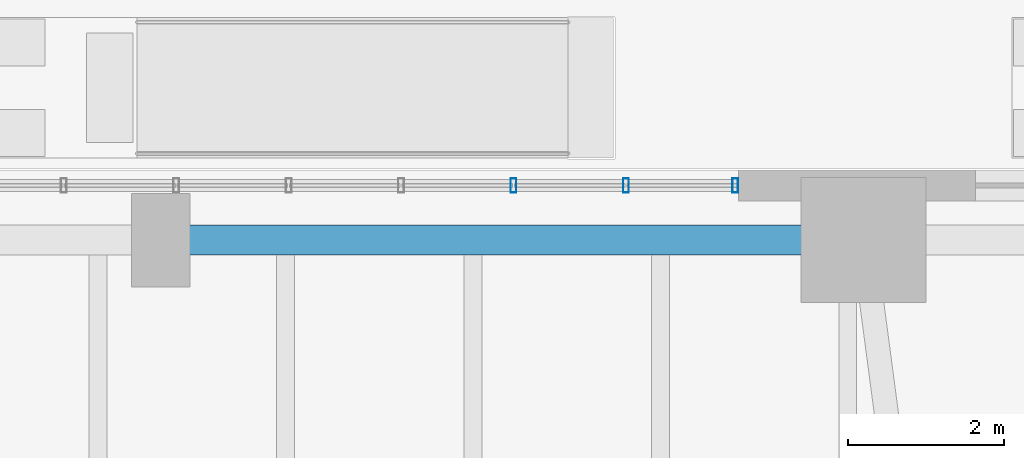
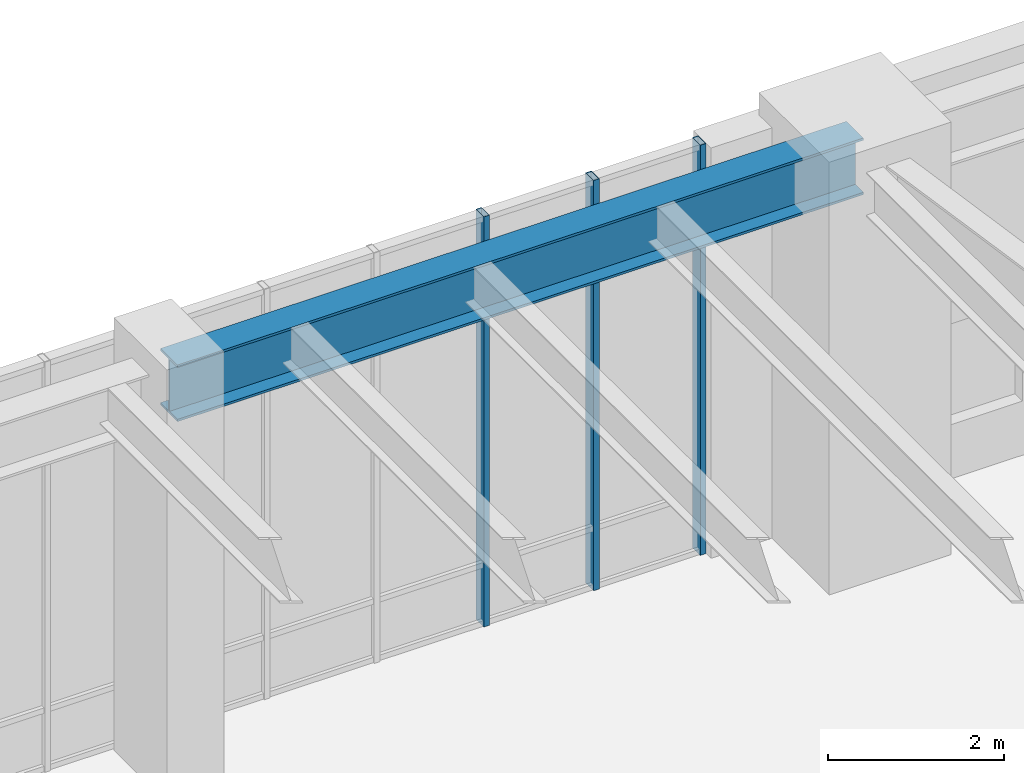
# One storey, part 15 of 28: 3 members, 1 beam, 1 element without a shape of its own.
"""IFC4 building model written with IfcOpenShell, lengths in metres."""

from ifc_helpers import new_model, si_unit, direction, frame, origin, origin_2d, place, context, subcontext, project, spatial, hollow_rectangle, i_section, extrude, material, layer, layer_set, material_profile, profile_set, type_object, element, aggregate, save


model = new_model("IFC4")

# Units and contexts
model_context = context("Model", 3, precision=1e-05, world=origin(), true_north=direction((0.0, 1.0)))
body_context = subcontext(model_context, "Body", "Model", "MODEL_VIEW")
ifc_project = project(units=[si_unit("LENGTHUNIT", "METRE"), si_unit("AREAUNIT", "SQUARE_METRE"), si_unit("VOLUMEUNIT", "CUBIC_METRE"), si_unit("PLANEANGLEUNIT", "RADIAN"), si_unit("MASSUNIT", "GRAM", prefix="KILO"), si_unit("THERMODYNAMICTEMPERATUREUNIT", "KELVIN"), si_unit("POWERUNIT", "WATT")], contexts=[model_context])

# Site, building, storey
site_placement = place(None, origin())
site = spatial("IfcSite", under=ifc_project, at=site_placement, CompositionType="ELEMENT")
building_placement = place(site_placement, origin())
building = spatial("IfcBuilding", under=site, at=building_placement, Name="Skarre Station Tower", CompositionType="ELEMENT")
storey_placement = place(building_placement, origin())
storey = spatial("IfcBuildingStorey", under=building, at=storey_placement, Name="L01", CompositionType="ELEMENT", Elevation=0.0)

# Curtain wall, members
ifc_material_1 = material(Name="Thermally Broken Bronze-Anodized Aluminium & Triple Low-E Glass", Category="aluminium")
ifc_layer = layer(ifc_material_1, 0.239990234375, Name="Thermally Broken Bronze-Anodized Aluminium & Triple Low-E Glass")
ifc_layer_set = layer_set([ifc_layer], Name="Thermally Broken Bronze-Anodized Aluminium & Triple Low-E Glass")
curtain_wall_type = type_object("IfcCurtainWallType", Name="Station Concourse Monumental Unitised Curtain Wall", PredefinedType="NOTDEFINED", material=ifc_layer_set)
curtain_wall_placement = place(storey_placement, origin())
curtain_wall = element("IfcCurtainWall", 1, at=curtain_wall_placement, inside=storey, type_object=curtain_wall_type, Name="L01 North Drop-Off Portal Curtain Wall", PredefinedType="NOTDEFINED")
ifc_material_2 = material(Name="Anodized Aluminium 6063-T6", Category="aluminium")
ifc_material_profile_1 = material_profile(ifc_material_2, hollow_rectangle(XDim=0.074951171875, YDim=0.179931640625, WallThickness=0.00390625, at=origin_2d()), Name="Anodized Aluminium 6063-T6")
ifc_profile_set_1 = profile_set([ifc_material_profile_1], Name="Anodized Aluminium 6063-T6")
member_type = type_object("IfcMemberType", Name="Curtain-Wall Heavy Concourse Mullion 180x75", PredefinedType="MULLION", material=ifc_profile_set_1)
member_1_placement = place(storey_placement, frame((49.52001953125, 47.800048828125, 0.0), z_axis=(0.0, 0.0, 1.0), x_axis=(1.0, 0.0, 0.0)))
member_1 = element("IfcMember", 2, at=member_1_placement, type_object=member_type, Name="L01 North Drop-Off Portal Curtain Wall Mullion 9", PredefinedType="MULLION", context=body_context, shape_type="SweptSolid", body=[
    extrude(hollow_rectangle(XDim=0.074951171875, YDim=0.179931640625, WallThickness=0.00390625, at=origin_2d()), origin(), (0.0, 0.0, 1.0), 5.68994140625),
])
member_2_placement = place(storey_placement, frame((50.9599609375, 47.800048828125, 0.0), z_axis=(0.0, 0.0, 1.0), x_axis=(1.0, 0.0, 0.0)))
member_2 = element("IfcMember", 3, at=member_2_placement, type_object=member_type, Name="L01 North Drop-Off Portal Curtain Wall Mullion 10", PredefinedType="MULLION", context=body_context, shape_type="SweptSolid", body=[
    extrude(hollow_rectangle(XDim=0.074951171875, YDim=0.179931640625, WallThickness=0.00390625, at=origin_2d()), origin(), (0.0, 0.0, 1.0), 5.68994140625),
])
member_3_placement = place(storey_placement, frame((52.360107421875, 47.800048828125, 0.0), z_axis=(0.0, 0.0, 1.0), x_axis=(1.0, 0.0, 0.0)))
member_3 = element("IfcMember", 4, at=member_3_placement, type_object=member_type, Name="L01 North Drop-Off Portal Curtain Wall Mullion 11", PredefinedType="MULLION", context=body_context, shape_type="SweptSolid", body=[
    extrude(hollow_rectangle(XDim=0.074951171875, YDim=0.179931640625, WallThickness=0.00390625, at=origin_2d()), origin(), (0.0, 0.0, 1.0), 5.68994140625),
])
aggregate(curtain_wall, [member_1, member_2, member_3])

# Beam
ifc_material_3 = material(Name="Steel ASTM A992 Grade 50", Category="steel")
ifc_material_profile_2 = material_profile(ifc_material_3, i_section(OverallWidth=0.384033203125, OverallDepth=0.785888671875, WebThickness=0.02001953125, FlangeThickness=0.032958984375, at=origin_2d()), Name="Steel ASTM A992 Grade 50")
ifc_profile_set_2 = profile_set([ifc_material_profile_2], Name="Steel ASTM A992 Grade 50")
beam_type = type_object("IfcBeamType", Name="Steel Spandrel W30X211", PredefinedType="SPANDREL", material=ifc_profile_set_2)
beam_placement = place(storey_placement, frame((45.0, 47.10009765625, 5.297119140625), z_axis=(1.0, 0.0, 0.0), x_axis=(0.0, 1.0, 0.0)))
element("IfcBeam", 5, at=beam_placement, inside=storey, type_object=beam_type, Name="L01 North Podium Spandrel 6", PredefinedType="SPANDREL", context=body_context, shape_type="SweptSolid", body=[
    extrude(i_section(OverallWidth=0.384033203125, OverallDepth=0.785888671875, WebThickness=0.02001953125, FlangeThickness=0.032958984375, at=origin_2d()), origin(), (0.0, 0.0, 1.0), 9.0),
])

save(model, "model.ifc")
